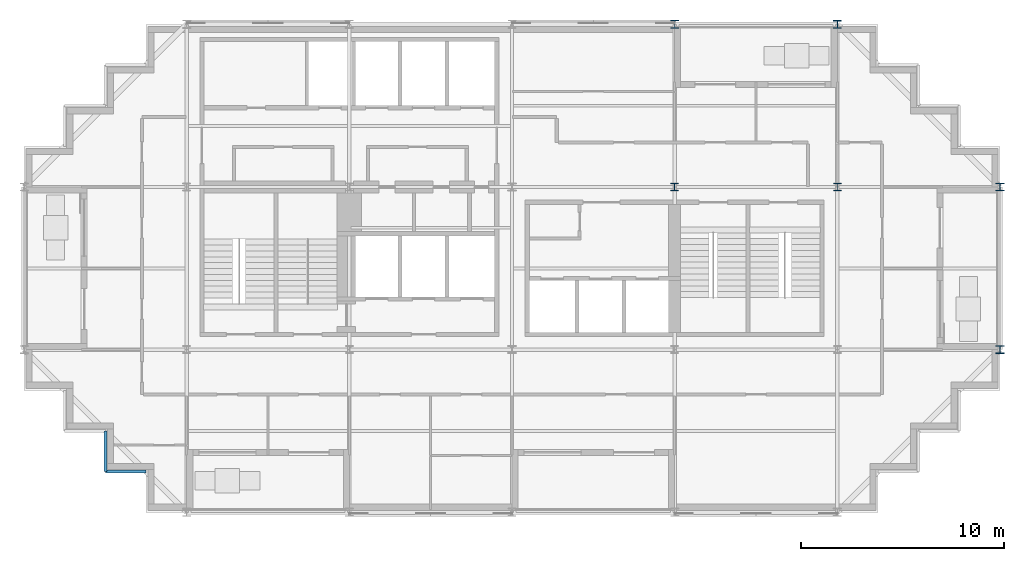
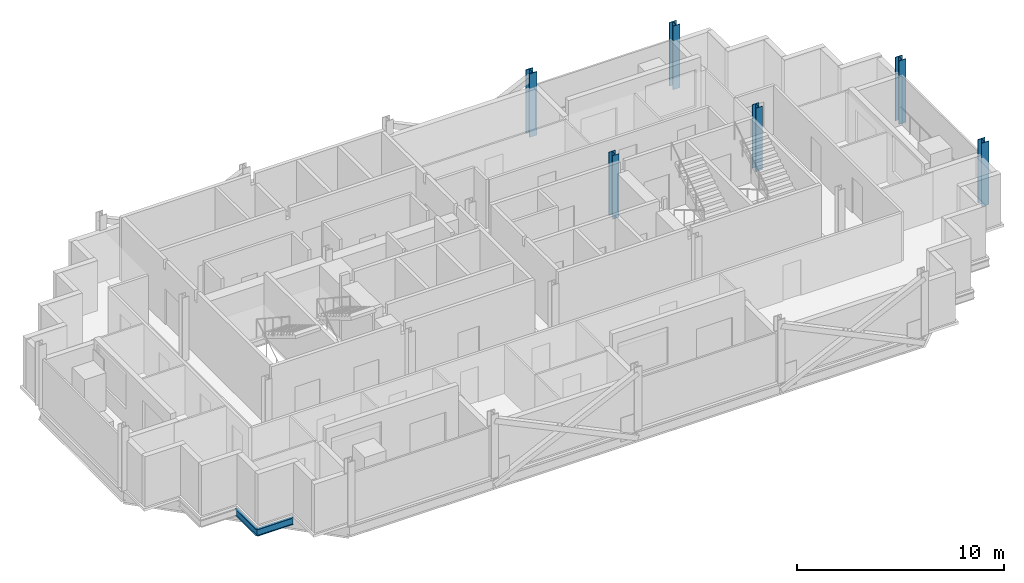
# One storey, part 2 of 10: 6 columns, 2 beams.
"""IFC4 building model written with IfcOpenShell, lengths in metres."""

from ifc_helpers import new_model, si_unit, direction, frame, origin, origin_2d, place, context, subcontext, project, spatial, i_section, extrude, material, material_profile, profile_set, type_object, element, save


model = new_model("IFC4")

# Units and contexts
model_context = context("Model", 3, precision=1e-05, world=origin(), true_north=direction((0.0, 1.0)))
body_context = subcontext(model_context, "Body", "Model", "MODEL_VIEW")
ifc_project = project(units=[si_unit("LENGTHUNIT", "METRE"), si_unit("AREAUNIT", "SQUARE_METRE"), si_unit("VOLUMEUNIT", "CUBIC_METRE"), si_unit("PLANEANGLEUNIT", "RADIAN"), si_unit("MASSUNIT", "GRAM", prefix="KILO")], contexts=[model_context])

# Site, building, storey
site_placement = place(None, origin())
site = spatial("IfcSite", under=ifc_project, at=site_placement, CompositionType="ELEMENT")
building_placement = place(site_placement, origin())
building = spatial("IfcBuilding", under=site, at=building_placement, Name="Immortelle Media Tower", CompositionType="ELEMENT")
storey_placement = place(building_placement, frame((0.0, 0.0, 237.0)))
storey = spatial("IfcBuildingStorey", under=building, at=storey_placement, Name="L51", CompositionType="ELEMENT", Elevation=237.0)

# Columns
ifc_material = material(Name="Steel ASTM A992 Gr 50", Category="steel")
ifc_material_profile_1 = material_profile(ifc_material, i_section(OverallWidth=0.373046875, OverallDepth=0.367919921875, WebThickness=0.014892578125, FlangeThickness=0.02392578125, at=origin_2d()), Name="W14x120")
ifc_profile_set_1 = profile_set([ifc_material_profile_1], Name="Steel ASTM A992 Gr 50")
column_type_1 = type_object("IfcColumnType", Name="W14x120 column", PredefinedType="COLUMN", material=ifc_profile_set_1)
for number, where, z_axis, x_axis, name in (
    (1, (32.0, 16.0, 0.0), (0.0, 0.0, 1.0), (1.0, 0.0, 0.0), "Column 5/C"),
    (2, (40.0, 16.0, 0.0), (0.0, 0.0, 1.0), (1.0, 0.0, 0.0), "Column 6/C"),
):
    element("IfcColumn", number, at=place(storey_placement, frame(where, z_axis=z_axis, x_axis=x_axis)), inside=storey, type_object=column_type_1, Name=name, PredefinedType="COLUMN", context=body_context, shape_type="SweptSolid", body=[
        extrude(i_section(OverallWidth=0.373046875, OverallDepth=0.367919921875, WebThickness=0.014892578125, FlangeThickness=0.02392578125, at=origin_2d()), origin(), (0.0, 0.0, 1.0), 3.75),
    ])
ifc_material_profile_2 = material_profile(ifc_material, i_section(OverallWidth=0.39892578125, OverallDepth=0.385986328125, WebThickness=0.02099609375, FlangeThickness=0.032958984375, at=origin_2d()), Name="W14x176")
ifc_profile_set_2 = profile_set([ifc_material_profile_2], Name="Steel ASTM A992 Gr 50")
column_type_2 = type_object("IfcColumnType", Name="W14x176 column", PredefinedType="COLUMN", material=ifc_profile_set_2)
for number, where, z_axis, x_axis, name in (
    (3, (40.0, 24.0, 0.0), (0.0, 0.0, 1.0), (1.0, 0.0, 0.0), "Column 6/D"),
    (4, (48.0, 8.0, 0.0), (0.0, 0.0, 1.0), (1.0, 0.0, 0.0), "Column 7/B"),
    (5, (48.0, 16.0, 0.0), (0.0, 0.0, 1.0), (1.0, 0.0, 0.0), "Column 7/C"),
):
    element("IfcColumn", number, at=place(storey_placement, frame(where, z_axis=z_axis, x_axis=x_axis)), inside=storey, type_object=column_type_2, Name=name, PredefinedType="COLUMN", context=body_context, shape_type="SweptSolid", body=[
        extrude(i_section(OverallWidth=0.39892578125, OverallDepth=0.385986328125, WebThickness=0.02099609375, FlangeThickness=0.032958984375, at=origin_2d()), origin(), (0.0, 0.0, 1.0), 3.75),
    ])
ifc_material_profile_3 = material_profile(ifc_material, i_section(OverallWidth=0.406005859375, OverallDepth=0.4169921875, WebThickness=0.030029296875, FlangeThickness=0.048095703125, at=origin_2d()), Name="W14x257")
ifc_profile_set_3 = profile_set([ifc_material_profile_3], Name="Steel ASTM A992 Gr 50")
column_type_3 = type_object("IfcColumnType", Name="W14x257 column", PredefinedType="COLUMN", material=ifc_profile_set_3)
column_placement = place(storey_placement, frame((32.0, 24.0, 0.0), z_axis=(0.0, 0.0, 1.0), x_axis=(1.0, 0.0, 0.0)))
element("IfcColumn", 6, at=column_placement, inside=storey, type_object=column_type_3, Name="Column 5/D", PredefinedType="COLUMN", context=body_context, shape_type="SweptSolid", body=[
    extrude(i_section(OverallWidth=0.406005859375, OverallDepth=0.4169921875, WebThickness=0.030029296875, FlangeThickness=0.048095703125, at=origin_2d()), origin(), (0.0, 0.0, 1.0), 3.75),
])

# Beams
ifc_material_profile_4 = material_profile(ifc_material, i_section(OverallWidth=0.139892578125, OverallDepth=0.404052734375, WebThickness=0.007080078125, FlangeThickness=0.010986328125, at=origin_2d()), Name="W16x31")
ifc_profile_set_4 = profile_set([ifc_material_profile_4], Name="Steel ASTM A992 Gr 50")
beam_type = type_object("IfcBeamType", Name="W16x31 serration edge beam", PredefinedType="SPANDREL", material=ifc_profile_set_4)
for number, where, z_axis, x_axis, name in (
    (7, (6.0, 2.0, -0.35205078125), (-1.0, 0.0, 0.0), (0.0, -1.0, 0.0), "Corner edge beam 1 at 1/A"),
    (8, (4.0, 2.0, -0.35205078125), (0.0, 1.0, 0.0), (-1.0, 0.0, 0.0), "Corner edge beam 2 at 1/A"),
):
    element("IfcBeam", number, at=place(storey_placement, frame(where, z_axis=z_axis, x_axis=x_axis)), inside=storey, type_object=beam_type, Name=name, PredefinedType="SPANDREL", context=body_context, shape_type="SweptSolid", body=[
        extrude(i_section(OverallWidth=0.139892578125, OverallDepth=0.404052734375, WebThickness=0.007080078125, FlangeThickness=0.010986328125, at=origin_2d()), origin(), (0.0, 0.0, 1.0), 2.0),
    ])

save(model, "model.ifc")
